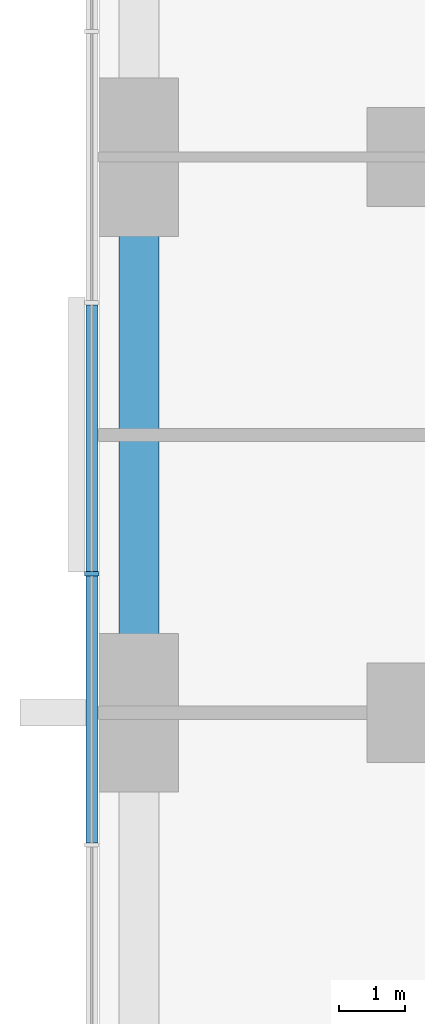
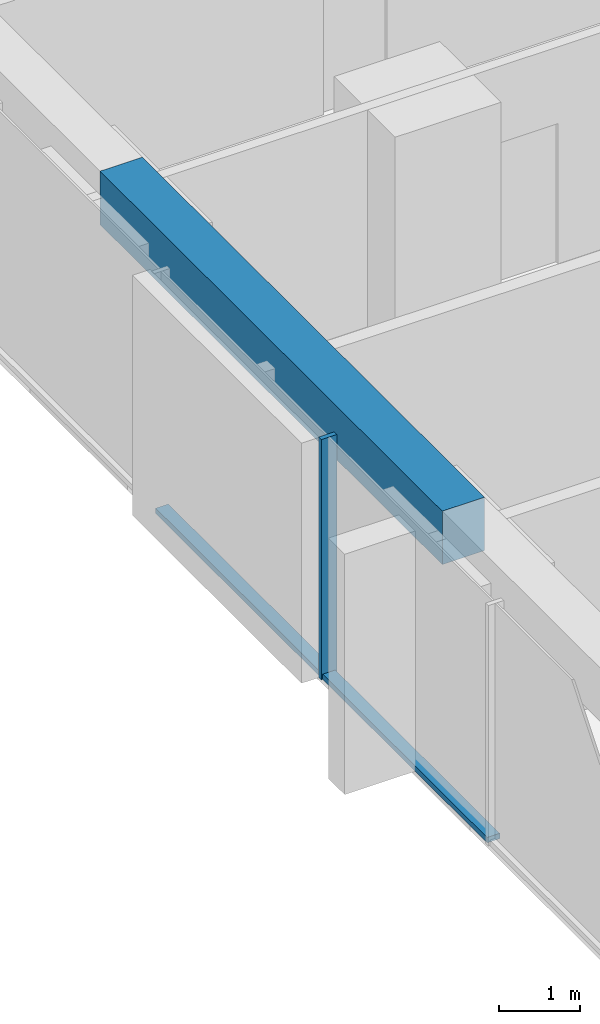
# One storey, part 3 of 14: 3 members, 1 beam, 1 element without a shape of its own.
"""IFC4 building model written with IfcOpenShell, lengths in metres."""

from ifc_helpers import new_model, si_unit, direction, frame, origin, origin_2d, place, context, subcontext, project, spatial, rectangle, extrude, material, material_profile, profile_set, type_object, element, aggregate, save


model = new_model("IFC4")

# Units and contexts
model_context = context("Model", 3, precision=1e-05, world=origin(), true_north=direction((0.0, 1.0)))
body_context = subcontext(model_context, "Body", "Model", "MODEL_VIEW")
ifc_project = project(units=[si_unit("LENGTHUNIT", "METRE"), si_unit("AREAUNIT", "SQUARE_METRE"), si_unit("VOLUMEUNIT", "CUBIC_METRE"), si_unit("PLANEANGLEUNIT", "RADIAN"), si_unit("MASSUNIT", "GRAM", prefix="KILO")], contexts=[model_context])

# Site, building, storey
site_placement = place(None, origin())
site = spatial("IfcSite", under=ifc_project, at=site_placement, CompositionType="ELEMENT")
building_placement = place(site_placement, origin())
building = spatial("IfcBuilding", under=site, at=building_placement, Name="Dunama Terrace Hotel", CompositionType="ELEMENT")
storey_placement = place(building_placement, frame((0.0, 0.0, 133.199951171875)))
storey = spatial("IfcBuildingStorey", under=building, at=storey_placement, Name="L34", CompositionType="ELEMENT", Elevation=133.199951171875)

# Curtain wall, members
ifc_material_1 = material(Name="Aluminium curtain wall system", Category="aluminium")
curtain_wall_type = type_object("IfcCurtainWallType", Name="Unitised fritted glass wall CW-B", PredefinedType="NOTDEFINED", material=ifc_material_1)
curtain_wall_placement = place(storey_placement, origin())
curtain_wall = element("IfcCurtainWall", 1, at=curtain_wall_placement, inside=storey, type_object=curtain_wall_type, Name="Unitised fritted glass wall CW-B L34", PredefinedType="NOTDEFINED")
ifc_material_2 = material(Name="Aluminium mullion", Category="aluminium")
ifc_material_profile_1 = material_profile(ifc_material_2, rectangle(XDim=0.06494140625, YDim=0.219970703125, at=origin_2d()), Name="CWB MULLION 65X220")
ifc_profile_set_1 = profile_set([ifc_material_profile_1], Name="Aluminium mullion")
member_type_1 = type_object("IfcMemberType", Name="CWB mullion 65x220", PredefinedType="MULLION", material=ifc_profile_set_1)
member_1_placement = place(storey_placement, frame((-0.110107421875, 27.300048828125, 0.0), z_axis=(0.0, 0.0, 1.0), x_axis=(0.0, -1.0, 0.0)))
member_1 = element("IfcMember", 2, at=member_1_placement, type_object=member_type_1, Name="CWB mullion", PredefinedType="MULLION", context=body_context, shape_type="SweptSolid", body=[
    extrude(rectangle(XDim=0.06494140625, YDim=0.219970703125, at=origin_2d()), origin(), (0.0, 0.0, 1.0), 3.60009765625),
])
ifc_material_3 = material(Name="Aluminium transom", Category="aluminium")
ifc_material_profile_2 = material_profile(ifc_material_3, rectangle(XDim=0.179931640625, YDim=0.080078125, at=origin_2d()), Name="CWB TRANSOM 180X80")
ifc_profile_set_2 = profile_set([ifc_material_profile_2], Name="Aluminium transom")
member_type_2 = type_object("IfcMemberType", Name="CWB transom 180x80", PredefinedType="USERDEFINED", material=ifc_profile_set_2)
member_2_placement = place(storey_placement, frame((-0.110107421875, 31.366943359375, 0.0400390625), z_axis=(0.0, -1.0, 0.0), x_axis=(1.0, 0.0, 0.0)))
member_2 = element("IfcMember", 3, at=member_2_placement, type_object=member_type_2, Name="CWB transom", ObjectType="TRANSOM", PredefinedType="USERDEFINED", context=body_context, shape_type="SweptSolid", body=[
    extrude(rectangle(XDim=0.179931640625, YDim=0.080078125, at=origin_2d()), origin(), (0.0, 0.0, 1.0), 4.034912109375),
])
member_3_placement = place(storey_placement, frame((-0.110107421875, 27.26806640625, 0.0400390625), z_axis=(0.0, -1.0, 0.0), x_axis=(1.0, 0.0, 0.0)))
member_3 = element("IfcMember", 4, at=member_3_placement, type_object=member_type_2, Name="CWB transom", ObjectType="TRANSOM", PredefinedType="USERDEFINED", context=body_context, shape_type="SweptSolid", body=[
    extrude(rectangle(XDim=0.179931640625, YDim=0.080078125, at=origin_2d()), origin(), (0.0, 0.0, 1.0), 4.03515625),
])
aggregate(curtain_wall, [member_1, member_2, member_3])

# Beam
ifc_material_4 = material(Name="Concrete C40/50", Category="concrete")
ifc_material_profile_3 = material_profile(ifc_material_4, rectangle(XDim=0.60009765625, YDim=0.800048828125, at=origin_2d()), Name="RC 600x800")
ifc_profile_set_3 = profile_set([ifc_material_profile_3], Name="Concrete C40/50")
beam_type = type_object("IfcBeamType", Name="Edge beam RC 600x800", PredefinedType="SPANDREL", material=ifc_profile_set_3)
beam_placement = place(storey_placement, frame((0.60009765625, 25.199951171875, 3.199951171875), z_axis=(0.0, 1.0, 0.0), x_axis=(-1.0, 0.0, 0.0)))
element("IfcBeam", 5, at=beam_placement, inside=storey, type_object=beam_type, Name="Edge beam under L35", PredefinedType="SPANDREL", context=body_context, shape_type="SweptSolid", body=[
    extrude(rectangle(XDim=0.60009765625, YDim=0.800048828125, at=origin_2d()), origin(), (0.0, 0.0, 1.0), 8.400146484375),
])

save(model, "model.ifc")
